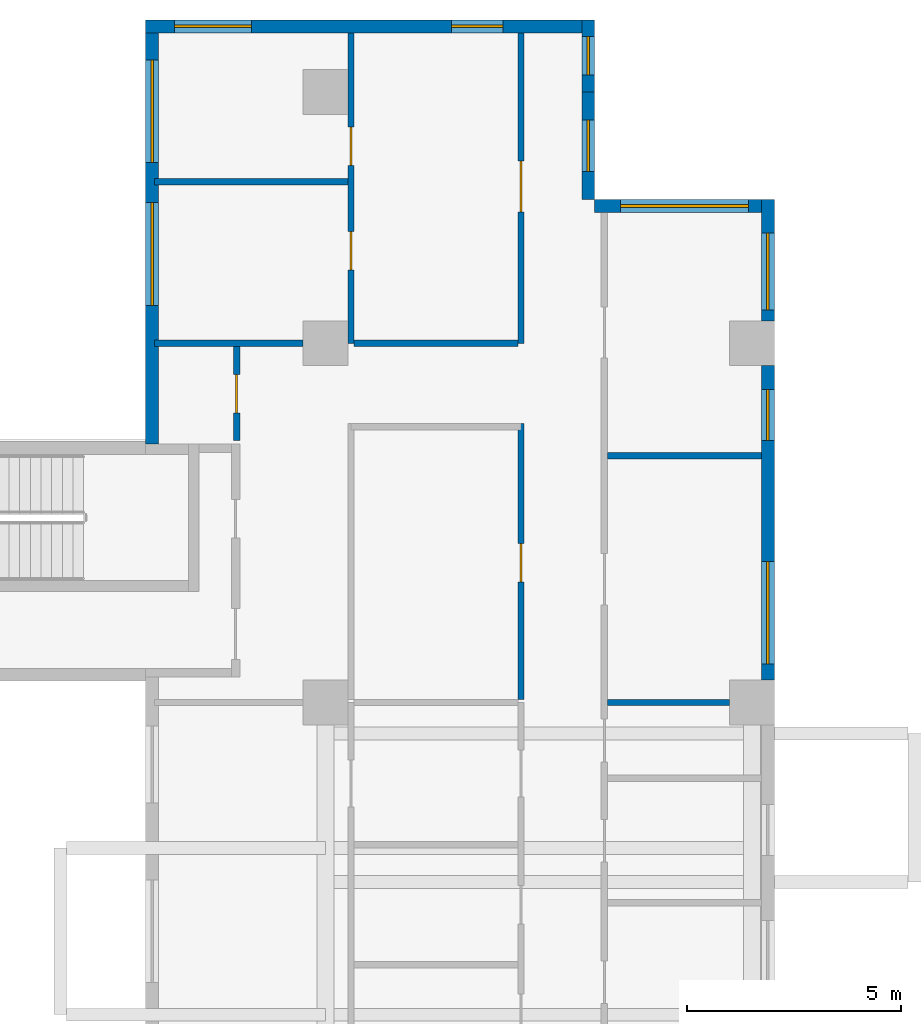
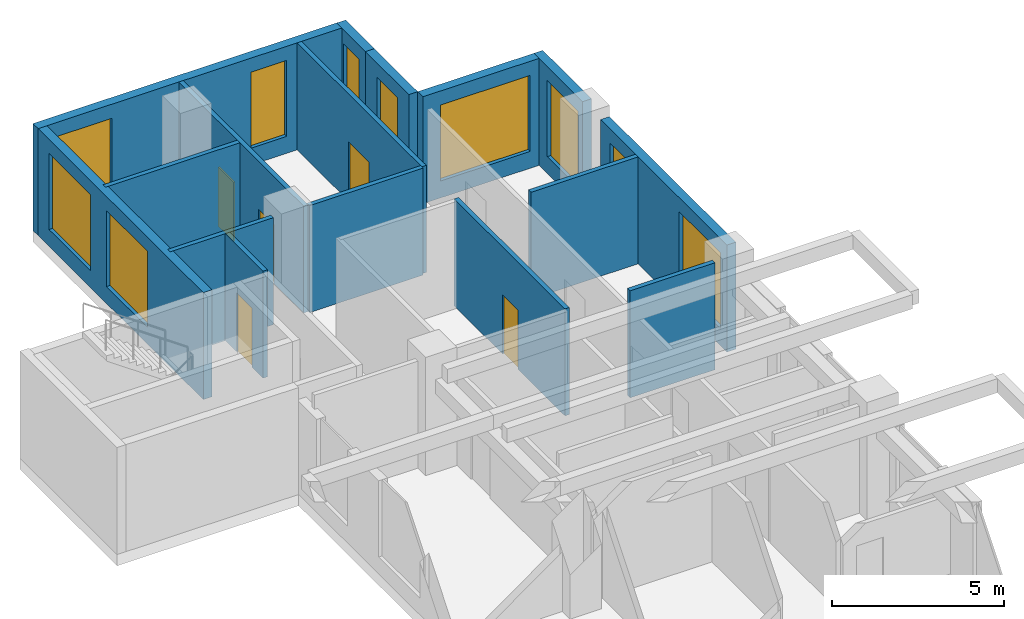
# One storey, part 7 of 14: 16 walls, 10 windows, 5 doors, 15 openings.
"""IFC4 building model written with IfcOpenShell, lengths in metres."""

from ifc_helpers import new_model, si_unit, direction, frame, frame_2d, origin, place, context, subcontext, project, spatial, rectangle, extrude, source, transform, mapped, material, layer, layer_set, type_object, element, fill, save


model = new_model("IFC4")

# Units and contexts
model_context = context("Model", 3, precision=1e-05, world=origin(), true_north=direction((0.0, 1.0)))
body_context = subcontext(model_context, "Body", "Model", "MODEL_VIEW")
ifc_project = project(units=[si_unit("LENGTHUNIT", "METRE"), si_unit("AREAUNIT", "SQUARE_METRE"), si_unit("VOLUMEUNIT", "CUBIC_METRE"), si_unit("PLANEANGLEUNIT", "RADIAN"), si_unit("MASSUNIT", "GRAM", prefix="KILO")], contexts=[model_context])

# Site, building, storey
site_placement = place(None, origin())
site = spatial("IfcSite", under=ifc_project, at=site_placement, CompositionType="ELEMENT")
building_placement = place(site_placement, origin())
building = spatial("IfcBuilding", under=site, at=building_placement, Name="Aurelian Terraces", CompositionType="ELEMENT")
storey_placement = place(building_placement, frame((0.0, 0.0, 103.5)))
storey = spatial("IfcBuildingStorey", under=building, at=storey_placement, Name="L22", CompositionType="ELEMENT", Elevation=103.5)

# Wall
ifc_material_1 = material(Name="Gypsum board on steel studs", Category="steel")
ifc_layer_1 = layer(ifc_material_1, 0.15)
ifc_layer_set_1 = layer_set([ifc_layer_1], Name="Partition 150")
wall_type_1 = type_object("IfcWallType", Name="Partition 150", PredefinedType="PARTITIONING", material=ifc_layer_set_1)
wall_1_placement = place(storey_placement, frame((11.025, 49.98, 0.0), z_axis=(0.0, 0.0, 1.0), x_axis=(-1.0, 0.0, 0.0)))
element("IfcWall", 1, at=wall_1_placement, inside=storey, type_object=wall_type_1, Name="Partition", PredefinedType="PARTITIONING", context=body_context, shape_type="SweptSolid", body=[
    extrude(rectangle(XDim=4.52, YDim=0.15, at=frame_2d((2.26, 0.0))), origin(), (0.0, 0.0, 1.0), 3.8),
])

# Wall, opening, window
ifc_material_2 = material(Name="Terracotta rainscreen cladding", Category="masonry")
ifc_layer_2 = layer(ifc_material_2, 0.3)
ifc_layer_set_2 = layer_set([ifc_layer_2], Name="EW-300")
wall_type_2 = type_object("IfcWallType", Name="EW-300", PredefinedType="STANDARD", material=ifc_layer_set_2)
shared_shape_1 = source(origin(), body_context, "Body", "SweptSolid", [
    extrude(rectangle(XDim=4.2, YDim=0.3, at=frame_2d((2.1, 0.0))), origin(), (0.0, 0.0, 1.0), 3.8),
])
wall_2_placement = place(storey_placement, frame((21.0, 49.41, 0.0), z_axis=(0.0, 0.0, 1.0), x_axis=(-1.0, 0.0, 0.0)))
wall_2 = element("IfcWall", 2, at=wall_2_placement, inside=storey, type_object=wall_type_2, Name="External wall L22 F13.28", PredefinedType="STANDARD", context=body_context, shape_type="MappedRepresentation", body=[
    mapped(shared_shape_1, transform((0.0, 0.0, 0.0), scale=1.0)),
])
shared_shape_2 = source(origin(), body_context, "Body", "SweptSolid", [
    extrude(rectangle(XDim=3.0, YDim=2.7, at=frame_2d((1.5, 1.35))), frame((0.0, 0.16, 0.0), z_axis=(0.0, -1.0, 0.0), x_axis=(1.0, 0.0, 0.0)), (0.0, 0.0, 1.0), 0.32),
])
opening_1_placement = place(wall_2_placement, frame((0.6, 0.0, 0.6)))
opening_1 = element("IfcOpeningElement", 3, at=opening_1_placement, cuts=wall_2, Name="Opening W3027", PredefinedType="OPENING", context=body_context, shape_type="MappedRepresentation", body=[
    mapped(shared_shape_2, transform((0.0, 0.0, 0.0), scale=1.0)),
])
ifc_material_3 = material(Name="Clear glazing", Category="glass")
window_type_1 = type_object("IfcWindowType", Name="W-3000x2700", PartitioningType="SINGLE_PANEL", PredefinedType="WINDOW", material=ifc_material_3)
shared_shape_3 = source(origin(), body_context, "Body", "SweptSolid", [
    extrude(rectangle(XDim=3.0, YDim=2.7, at=frame_2d((1.5, 1.35))), frame((0.0, 0.03, 0.0), z_axis=(0.0, -1.0, 0.0), x_axis=(1.0, 0.0, 0.0)), (0.0, 0.0, 1.0), 0.06),
])
window_1_placement = place(opening_1_placement, origin())
window_1 = element("IfcWindow", 4, at=window_1_placement, inside=storey, type_object=window_type_1, Name="Window L22 L22-F13-28-0", OverallHeight=2.7, OverallWidth=3.0, PartitioningType="SINGLE_PANEL", PredefinedType="WINDOW", context=body_context, shape_type="MappedRepresentation", body=[
    mapped(shared_shape_3, transform((0.0, 0.0, 0.0), scale=1.0)),
])
fill(opening_1, window_1)

shared_shape_4 = source(origin(), body_context, "Body", "SweptSolid", [
    extrude(rectangle(XDim=2.52, YDim=0.3, at=frame_2d((1.26, 0.0))), origin(), (0.0, 0.0, 1.0), 3.8),
])
wall_3_placement = place(storey_placement, frame((16.65, 49.56, 0.0), z_axis=(0.0, 0.0, 1.0), x_axis=(0.0, 1.0, 0.0)))
wall_3 = element("IfcWall", 5, at=wall_3_placement, inside=storey, type_object=wall_type_2, Name="External wall L22 F14.29", PredefinedType="STANDARD", context=body_context, shape_type="MappedRepresentation", body=[
    mapped(shared_shape_4, transform((0.0, 0.0, 0.0), scale=1.0)),
])
shared_shape_5 = source(origin(), body_context, "Body", "SweptSolid", [
    extrude(rectangle(XDim=1.2, YDim=2.7, at=frame_2d((0.6, 1.35))), frame((0.0, 0.16, 0.0), z_axis=(0.0, -1.0, 0.0), x_axis=(1.0, 0.0, 0.0)), (0.0, 0.0, 1.0), 0.32),
])
opening_2_placement = place(wall_3_placement, frame((0.66, 0.0, 0.6)))
opening_2 = element("IfcOpeningElement", 6, at=opening_2_placement, cuts=wall_3, Name="Opening W1227", PredefinedType="OPENING", context=body_context, shape_type="MappedRepresentation", body=[
    mapped(shared_shape_5, transform((0.0, 0.0, 0.0), scale=1.0)),
])
window_type_2 = type_object("IfcWindowType", Name="W-1200x2700", PartitioningType="SINGLE_PANEL", PredefinedType="WINDOW", material=ifc_material_3)
shared_shape_6 = source(origin(), body_context, "Body", "SweptSolid", [
    extrude(rectangle(XDim=1.2, YDim=2.7, at=frame_2d((0.6, 1.35))), frame((0.0, 0.03, 0.0), z_axis=(0.0, -1.0, 0.0), x_axis=(1.0, 0.0, 0.0)), (0.0, 0.0, 1.0), 0.06),
])
window_2_placement = place(opening_2_placement, origin())
window_2 = element("IfcWindow", 7, at=window_2_placement, inside=storey, type_object=window_type_2, Name="Window L22 L22-F14-29-0", OverallHeight=2.7, OverallWidth=1.2, PartitioningType="SINGLE_PANEL", PredefinedType="WINDOW", context=body_context, shape_type="MappedRepresentation", body=[
    mapped(shared_shape_6, transform((0.0, 0.0, 0.0), scale=1.0)),
])
fill(opening_2, window_2)

shared_shape_7 = source(origin(), body_context, "Body", "SweptSolid", [
    extrude(rectangle(XDim=1.68, YDim=0.3, at=frame_2d((0.84, 0.0))), origin(), (0.0, 0.0, 1.0), 3.8),
])
wall_4_placement = place(storey_placement, frame((16.65, 52.08, 0.0), z_axis=(0.0, 0.0, 1.0), x_axis=(0.0, 1.0, 0.0)))
wall_4 = element("IfcWall", 8, at=wall_4_placement, inside=storey, type_object=wall_type_2, Name="External wall L22 F14.30", PredefinedType="STANDARD", context=body_context, shape_type="MappedRepresentation", body=[
    mapped(shared_shape_7, transform((0.0, 0.0, 0.0), scale=1.0)),
])
shared_shape_8 = source(origin(), body_context, "Body", "SweptSolid", [
    extrude(rectangle(XDim=0.9, YDim=2.7, at=frame_2d((0.45, 1.35))), frame((0.0, 0.16, 0.0), z_axis=(0.0, -1.0, 0.0), x_axis=(1.0, 0.0, 0.0)), (0.0, 0.0, 1.0), 0.32),
])
opening_3_placement = place(wall_4_placement, frame((0.39, 0.0, 0.6)))
opening_3 = element("IfcOpeningElement", 9, at=opening_3_placement, cuts=wall_4, Name="Opening W0927", PredefinedType="OPENING", context=body_context, shape_type="MappedRepresentation", body=[
    mapped(shared_shape_8, transform((0.0, 0.0, 0.0), scale=1.0)),
])
window_type_3 = type_object("IfcWindowType", Name="W-900x2700", PartitioningType="SINGLE_PANEL", PredefinedType="WINDOW", material=ifc_material_3)
shared_shape_9 = source(origin(), body_context, "Body", "SweptSolid", [
    extrude(rectangle(XDim=0.9, YDim=2.7, at=frame_2d((0.45, 1.35))), frame((0.0, 0.03, 0.0), z_axis=(0.0, -1.0, 0.0), x_axis=(1.0, 0.0, 0.0)), (0.0, 0.0, 1.0), 0.06),
])
window_3_placement = place(opening_3_placement, origin())
window_3 = element("IfcWindow", 10, at=window_3_placement, inside=storey, type_object=window_type_3, Name="Window L22 L22-F14-30-P0", OverallHeight=2.7, OverallWidth=0.9, PartitioningType="SINGLE_PANEL", PredefinedType="WINDOW", context=body_context, shape_type="MappedRepresentation", body=[
    mapped(shared_shape_9, transform((0.0, 0.0, 0.0), scale=1.0)),
])
fill(opening_3, window_3)

# Wall, openings, windows
shared_shape_10 = source(origin(), body_context, "Body", "SweptSolid", [
    extrude(rectangle(XDim=7.35, YDim=0.3, at=frame_2d((3.675, 0.0))), origin(), (0.0, 0.0, 1.0), 3.8),
])
wall_5_placement = place(storey_placement, frame((20.85, 38.325, 0.0), z_axis=(0.0, 0.0, 1.0), x_axis=(0.0, 1.0, 0.0)))
wall_5 = element("IfcWall", 11, at=wall_5_placement, inside=storey, type_object=wall_type_2, Name="External wall L22 F12.26", PredefinedType="STANDARD", context=body_context, shape_type="MappedRepresentation", body=[
    mapped(shared_shape_10, transform((0.0, 0.0, 0.0), scale=1.0)),
])
shared_shape_11 = source(origin(), body_context, "Body", "SweptSolid", [
    extrude(rectangle(XDim=2.4, YDim=2.7, at=frame_2d((1.2, 1.35))), frame((0.0, 0.16, 0.0), z_axis=(0.0, -1.0, 0.0), x_axis=(1.0, 0.0, 0.0)), (0.0, 0.0, 1.0), 0.32),
])
opening_4_placement = place(wall_5_placement, frame((0.375, 0.0, 0.6)))
opening_4 = element("IfcOpeningElement", 12, at=opening_4_placement, cuts=wall_5, Name="Opening W2427", PredefinedType="OPENING", context=body_context, shape_type="MappedRepresentation", body=[
    mapped(shared_shape_11, transform((0.0, 0.0, 0.0), scale=1.0)),
])
opening_5_placement = place(wall_5_placement, frame((5.5965, 0.0, 0.6)))
opening_5 = element("IfcOpeningElement", 13, at=opening_5_placement, cuts=wall_5, Name="Opening W1227", PredefinedType="OPENING", context=body_context, shape_type="MappedRepresentation", body=[
    mapped(shared_shape_5, transform((0.0, 0.0, 0.0), scale=1.0)),
])
window_type_4 = type_object("IfcWindowType", Name="W-2400x2700", PartitioningType="SINGLE_PANEL", PredefinedType="WINDOW", material=ifc_material_3)
shared_shape_12 = source(origin(), body_context, "Body", "SweptSolid", [
    extrude(rectangle(XDim=2.4, YDim=2.7, at=frame_2d((1.2, 1.35))), frame((0.0, 0.03, 0.0), z_axis=(0.0, -1.0, 0.0), x_axis=(1.0, 0.0, 0.0)), (0.0, 0.0, 1.0), 0.06),
])
window_4_placement = place(opening_4_placement, origin())
window_4 = element("IfcWindow", 14, at=window_4_placement, inside=storey, type_object=window_type_4, Name="Window L22 L22-F12-26-0", OverallHeight=2.7, OverallWidth=2.4, PartitioningType="SINGLE_PANEL", PredefinedType="WINDOW", context=body_context, shape_type="MappedRepresentation", body=[
    mapped(shared_shape_12, transform((0.0, 0.0, 0.0), scale=1.0)),
])
fill(opening_4, window_4)
window_5_placement = place(opening_5_placement, origin())
window_5 = element("IfcWindow", 15, at=window_5_placement, inside=storey, type_object=window_type_2, Name="Window L22 L22-F12-26-1", OverallHeight=2.7, OverallWidth=1.2, PartitioningType="SINGLE_PANEL", PredefinedType="WINDOW", context=body_context, shape_type="MappedRepresentation", body=[
    mapped(shared_shape_6, transform((0.0, 0.0, 0.0), scale=1.0)),
])
fill(opening_5, window_5)

# Wall, opening, window
shared_shape_13 = source(origin(), body_context, "Body", "SweptSolid", [
    extrude(rectangle(XDim=2.835, YDim=0.3, at=frame_2d((1.4175, 0.0))), origin(), (0.0, 0.0, 1.0), 3.8),
])
wall_6_placement = place(storey_placement, frame((20.85, 46.725, 0.0), z_axis=(0.0, 0.0, 1.0), x_axis=(0.0, 1.0, 0.0)))
wall_6 = element("IfcWall", 16, at=wall_6_placement, inside=storey, type_object=wall_type_2, Name="External wall L22 F12.27", PredefinedType="STANDARD", context=body_context, shape_type="MappedRepresentation", body=[
    mapped(shared_shape_13, transform((0.0, 0.0, 0.0), scale=1.0)),
])
shared_shape_14 = source(origin(), body_context, "Body", "SweptSolid", [
    extrude(rectangle(XDim=1.8, YDim=2.7, at=frame_2d((0.9, 1.35))), frame((0.0, 0.16, 0.0), z_axis=(0.0, -1.0, 0.0), x_axis=(1.0, 0.0, 0.0)), (0.0, 0.0, 1.0), 0.32),
])
opening_6_placement = place(wall_6_placement, frame((0.255, 0.0, 0.6)))
opening_6 = element("IfcOpeningElement", 17, at=opening_6_placement, cuts=wall_6, Name="Opening W1827", PredefinedType="OPENING", context=body_context, shape_type="MappedRepresentation", body=[
    mapped(shared_shape_14, transform((0.0, 0.0, 0.0), scale=1.0)),
])
window_type_5 = type_object("IfcWindowType", Name="W-1800x2700", PartitioningType="SINGLE_PANEL", PredefinedType="WINDOW", material=ifc_material_3)
shared_shape_15 = source(origin(), body_context, "Body", "SweptSolid", [
    extrude(rectangle(XDim=1.8, YDim=2.7, at=frame_2d((0.9, 1.35))), frame((0.0, 0.03, 0.0), z_axis=(0.0, -1.0, 0.0), x_axis=(1.0, 0.0, 0.0)), (0.0, 0.0, 1.0), 0.06),
])
window_6_placement = place(opening_6_placement, origin())
window_6 = element("IfcWindow", 18, at=window_6_placement, inside=storey, type_object=window_type_5, Name="Window L22 L22-F12-27-0", OverallHeight=2.7, OverallWidth=1.8, PartitioningType="SINGLE_PANEL", PredefinedType="WINDOW", context=body_context, shape_type="MappedRepresentation", body=[
    mapped(shared_shape_15, transform((0.0, 0.0, 0.0), scale=1.0)),
])
fill(opening_6, window_6)

# Wall, openings, windows
shared_shape_16 = source(origin(), body_context, "Body", "SweptSolid", [
    extrude(rectangle(XDim=10.5, YDim=0.3, at=frame_2d((5.25, 0.0))), origin(), (0.0, 0.0, 1.0), 3.8),
])
wall_7_placement = place(storey_placement, frame((16.8, 53.61, 0.0), z_axis=(0.0, 0.0, 1.0), x_axis=(-1.0, 0.0, 0.0)))
wall_7 = element("IfcWall", 19, at=wall_7_placement, inside=storey, type_object=wall_type_2, Name="External wall L22 F15.31", PredefinedType="STANDARD", context=body_context, shape_type="MappedRepresentation", body=[
    mapped(shared_shape_16, transform((0.0, 0.0, 0.0), scale=1.0)),
])
opening_7_placement = place(wall_7_placement, frame((2.15, 0.0, 0.6)))
opening_7 = element("IfcOpeningElement", 20, at=opening_7_placement, cuts=wall_7, Name="Opening W1227", PredefinedType="OPENING", context=body_context, shape_type="MappedRepresentation", body=[
    mapped(shared_shape_5, transform((0.0, 0.0, 0.0), scale=1.0)),
])
opening_8_placement = place(wall_7_placement, frame((8.025, 0.0, 0.6)))
opening_8 = element("IfcOpeningElement", 21, at=opening_8_placement, cuts=wall_7, Name="Opening W1827", PredefinedType="OPENING", context=body_context, shape_type="MappedRepresentation", body=[
    mapped(shared_shape_14, transform((0.0, 0.0, 0.0), scale=1.0)),
])
window_7_placement = place(opening_8_placement, origin())
window_7 = element("IfcWindow", 22, at=window_7_placement, inside=storey, type_object=window_type_5, Name="Window L22 L22-F15-31-2", OverallHeight=2.7, OverallWidth=1.8, PartitioningType="SINGLE_PANEL", PredefinedType="WINDOW", context=body_context, shape_type="MappedRepresentation", body=[
    mapped(shared_shape_15, transform((0.0, 0.0, 0.0), scale=1.0)),
])
fill(opening_8, window_7)
window_8_placement = place(opening_7_placement, origin())
window_8 = element("IfcWindow", 23, at=window_8_placement, inside=storey, type_object=window_type_2, Name="Window L22 L22-F15-31-0", OverallHeight=2.7, OverallWidth=1.2, PartitioningType="SINGLE_PANEL", PredefinedType="WINDOW", context=body_context, shape_type="MappedRepresentation", body=[
    mapped(shared_shape_6, transform((0.0, 0.0, 0.0), scale=1.0)),
])
fill(opening_7, window_8)

shared_shape_17 = source(origin(), body_context, "Body", "SweptSolid", [
    extrude(rectangle(XDim=9.91, YDim=0.3, at=frame_2d((4.955, 0.0))), origin(), (0.0, 0.0, 1.0), 3.8),
])
wall_8_placement = place(storey_placement, frame((6.45, 53.76, 0.0), z_axis=(0.0, 0.0, 1.0), x_axis=(0.0, -1.0, 0.0)))
wall_8 = element("IfcWall", 24, at=wall_8_placement, inside=storey, type_object=wall_type_2, Name="External wall L22 F16.32", PredefinedType="STANDARD", context=body_context, shape_type="MappedRepresentation", body=[
    mapped(shared_shape_17, transform((0.0, 0.0, 0.0), scale=1.0)),
])
opening_9_placement = place(wall_8_placement, frame((4.2725, 0.0, 0.6)))
opening_9 = element("IfcOpeningElement", 25, at=opening_9_placement, cuts=wall_8, Name="Opening W2427", PredefinedType="OPENING", context=body_context, shape_type="MappedRepresentation", body=[
    mapped(shared_shape_11, transform((0.0, 0.0, 0.0), scale=1.0)),
])
opening_10_placement = place(wall_8_placement, frame((0.9363, 0.0, 0.6)))
opening_10 = element("IfcOpeningElement", 26, at=opening_10_placement, cuts=wall_8, Name="Opening W2427", PredefinedType="OPENING", context=body_context, shape_type="MappedRepresentation", body=[
    mapped(shared_shape_11, transform((0.0, 0.0, 0.0), scale=1.0)),
])
window_9_placement = place(opening_9_placement, origin())
window_9 = element("IfcWindow", 27, at=window_9_placement, inside=storey, type_object=window_type_4, Name="Window L22 L22-F16-32-1", OverallHeight=2.7, OverallWidth=2.4, PartitioningType="SINGLE_PANEL", PredefinedType="WINDOW", context=body_context, shape_type="MappedRepresentation", body=[
    mapped(shared_shape_12, transform((0.0, 0.0, 0.0), scale=1.0)),
])
fill(opening_9, window_9)
window_10_placement = place(opening_10_placement, origin())
window_10 = element("IfcWindow", 28, at=window_10_placement, inside=storey, type_object=window_type_4, Name="Window L22 L22-F16-32-G0-0", OverallHeight=2.7, OverallWidth=2.4, PartitioningType="SINGLE_PANEL", PredefinedType="WINDOW", context=body_context, shape_type="MappedRepresentation", body=[
    mapped(shared_shape_12, transform((0.0, 0.0, 0.0), scale=1.0)),
])
fill(opening_10, window_10)

# Wall, opening, door
ifc_layer_3 = layer(ifc_material_1, 0.15)
ifc_layer_set_3 = layer_set([ifc_layer_3], Name="Fire partition 150")
wall_type_3 = type_object("IfcWallType", Name="Fire partition 150", PredefinedType="PARTITIONING", material=ifc_layer_set_3)
shared_shape_18 = source(origin(), body_context, "Body", "SweptSolid", [
    extrude(rectangle(XDim=6.45, YDim=0.15, at=frame_2d((3.225, 0.0))), origin(), (0.0, 0.0, 1.0), 3.8),
])
wall_9_placement = place(storey_placement, frame((15.075, 37.875, 0.0), z_axis=(0.0, 0.0, 1.0), x_axis=(0.0, 1.0, 0.0)))
wall_9 = element("IfcWall", 29, at=wall_9_placement, inside=storey, type_object=wall_type_3, Name="Corridor wall", PredefinedType="PARTITIONING", context=body_context, shape_type="MappedRepresentation", body=[
    mapped(shared_shape_18, transform((0.0, 0.0, 0.0), scale=1.0)),
])
shared_shape_19 = source(origin(), body_context, "Body", "SweptSolid", [
    extrude(rectangle(XDim=0.9, YDim=2.1, at=frame_2d((0.45, 1.05))), frame((0.0, 0.085, 0.0), z_axis=(0.0, -1.0, 0.0), x_axis=(1.0, 0.0, 0.0)), (0.0, 0.0, 1.0), 0.17),
])
opening_11_placement = place(wall_9_placement, frame((2.7375, 0.0, 0.0)))
opening_11 = element("IfcOpeningElement", 30, at=opening_11_placement, cuts=wall_9, Name="Opening 722027", PredefinedType="OPENING", context=body_context, shape_type="MappedRepresentation", body=[
    mapped(shared_shape_19, transform((0.0, 0.0, 0.0), scale=1.0)),
])
ifc_material_4 = material(Name="Timber door leaf", Category="wood")
door_type_1 = type_object("IfcDoorType", Name="Room door 900x2100 right", OperationType="SINGLE_SWING_RIGHT", PredefinedType="DOOR", material=ifc_material_4)
shared_shape_20 = source(origin(), body_context, "Body", "SweptSolid", [
    extrude(rectangle(XDim=0.9, YDim=2.1, at=frame_2d((0.45, 1.05))), frame((0.0, 0.025, 0.0), z_axis=(0.0, -1.0, 0.0), x_axis=(1.0, 0.0, 0.0)), (0.0, 0.0, 1.0), 0.05),
])
door_1_placement = place(opening_11_placement, origin())
door_1 = element("IfcDoor", 31, at=door_1_placement, inside=storey, type_object=door_type_1, Name="Door 722027", OperationType="SINGLE_SWING_RIGHT", OverallHeight=2.1, OverallWidth=0.9, PredefinedType="DOOR", context=body_context, shape_type="MappedRepresentation", body=[
    mapped(shared_shape_20, transform((0.0, 0.0, 0.0), scale=1.0)),
])
fill(opening_11, door_1)

# Wall
shared_shape_21 = source(origin(), body_context, "Body", "SweptSolid", [
    extrude(rectangle(XDim=3.6, YDim=0.15, at=frame_2d((1.8, 0.0))), origin(), (0.0, 0.0, 1.0), 3.8),
])
wall_10_placement = place(storey_placement, frame((17.1, 43.5675, 0.0), z_axis=(0.0, 0.0, 1.0), x_axis=(1.0, 0.0, 0.0)))
element("IfcWall", 32, at=wall_10_placement, inside=storey, type_object=wall_type_1, Name="Partition", PredefinedType="PARTITIONING", context=body_context, shape_type="MappedRepresentation", body=[
    mapped(shared_shape_21, transform((0.0, 0.0, 0.0), scale=1.0)),
])

# Wall, opening, door
shared_shape_22 = source(origin(), body_context, "Body", "SweptSolid", [
    extrude(rectangle(XDim=2.2, YDim=0.15, at=frame_2d((1.1, 0.0))), origin(), (0.0, 0.0, 1.0), 3.8),
])
wall_11_placement = place(storey_placement, frame((8.425, 43.925, 0.0), z_axis=(0.0, 0.0, 1.0), x_axis=(0.0, 1.0, 0.0)))
wall_11 = element("IfcWall", 33, at=wall_11_placement, inside=storey, type_object=wall_type_1, Name="Partition", PredefinedType="PARTITIONING", context=body_context, shape_type="MappedRepresentation", body=[
    mapped(shared_shape_22, transform((0.0, 0.0, 0.0), scale=1.0)),
])
opening_12_placement = place(wall_11_placement, frame((0.65, 0.0, 0.0)))
opening_12 = element("IfcOpeningElement", 34, at=opening_12_placement, cuts=wall_11, Name="Opening 722028", PredefinedType="OPENING", context=body_context, shape_type="MappedRepresentation", body=[
    mapped(shared_shape_19, transform((0.0, 0.0, 0.0), scale=1.0)),
])
door_2_placement = place(opening_12_placement, origin())
door_2 = element("IfcDoor", 35, at=door_2_placement, inside=storey, type_object=door_type_1, Name="Door 722028", OperationType="SINGLE_SWING_RIGHT", OverallHeight=2.1, OverallWidth=0.9, PredefinedType="DOOR", context=body_context, shape_type="MappedRepresentation", body=[
    mapped(shared_shape_20, transform((0.0, 0.0, 0.0), scale=1.0)),
])
fill(opening_12, door_2)

# Wall, openings, doors
shared_shape_23 = source(origin(), body_context, "Body", "SweptSolid", [
    extrude(rectangle(XDim=7.26, YDim=0.15, at=frame_2d((3.63, 0.0))), origin(), (0.0, 0.0, 1.0), 3.8),
])
wall_12_placement = place(storey_placement, frame((11.1, 46.2, 0.0), z_axis=(0.0, 0.0, 1.0), x_axis=(0.0, 1.0, 0.0)))
wall_12 = element("IfcWall", 36, at=wall_12_placement, inside=storey, type_object=wall_type_1, Name="Partition", PredefinedType="PARTITIONING", context=body_context, shape_type="MappedRepresentation", body=[
    mapped(shared_shape_23, transform((0.0, 0.0, 0.0), scale=1.0)),
])
opening_13_placement = place(wall_12_placement, frame((1.715, 0.0, 0.0)))
opening_13 = element("IfcOpeningElement", 37, at=opening_13_placement, cuts=wall_12, Name="Opening 722034", PredefinedType="OPENING", context=body_context, shape_type="MappedRepresentation", body=[
    mapped(shared_shape_19, transform((0.0, 0.0, 0.0), scale=1.0)),
])
opening_14_placement = place(wall_12_placement, frame((4.155, 0.0, 0.0)))
opening_14 = element("IfcOpeningElement", 38, at=opening_14_placement, cuts=wall_12, Name="Opening 722035", PredefinedType="OPENING", context=body_context, shape_type="MappedRepresentation", body=[
    mapped(shared_shape_19, transform((0.0, 0.0, 0.0), scale=1.0)),
])
door_3_placement = place(opening_13_placement, origin())
door_3 = element("IfcDoor", 39, at=door_3_placement, inside=storey, type_object=door_type_1, Name="Door 722034", OperationType="SINGLE_SWING_RIGHT", OverallHeight=2.1, OverallWidth=0.9, PredefinedType="DOOR", context=body_context, shape_type="MappedRepresentation", body=[
    mapped(shared_shape_20, transform((0.0, 0.0, 0.0), scale=1.0)),
])
fill(opening_13, door_3)
door_type_2 = type_object("IfcDoorType", Name="Room door 900x2100 left", OperationType="SINGLE_SWING_LEFT", PredefinedType="DOOR", material=ifc_material_4)
door_4_placement = place(opening_14_placement, origin())
door_4 = element("IfcDoor", 40, at=door_4_placement, inside=storey, type_object=door_type_2, Name="Door 722035", OperationType="SINGLE_SWING_LEFT", OverallHeight=2.1, OverallWidth=0.9, PredefinedType="DOOR", context=body_context, shape_type="MappedRepresentation", body=[
    mapped(shared_shape_20, transform((0.0, 0.0, 0.0), scale=1.0)),
])
fill(opening_14, door_4)

# Wall, opening, door
wall_13_placement = place(storey_placement, frame((15.075, 46.2, 0.0), z_axis=(0.0, 0.0, 1.0), x_axis=(0.0, 1.0, 0.0)))
wall_13 = element("IfcWall", 41, at=wall_13_placement, inside=storey, type_object=wall_type_3, Name="Corridor wall", PredefinedType="PARTITIONING", context=body_context, shape_type="MappedRepresentation", body=[
    mapped(shared_shape_23, transform((0.0, 0.0, 0.0), scale=1.0)),
])
shared_shape_24 = source(origin(), body_context, "Body", "SweptSolid", [
    extrude(rectangle(XDim=1.2, YDim=2.1, at=frame_2d((0.6, 1.05))), frame((0.0, 0.085, 0.0), z_axis=(0.0, -1.0, 0.0), x_axis=(1.0, 0.0, 0.0)), (0.0, 0.0, 1.0), 0.17),
])
opening_15_placement = place(wall_13_placement, frame((3.0675, 0.0, 0.0)))
opening_15 = element("IfcOpeningElement", 42, at=opening_15_placement, cuts=wall_13, Name="Opening 722033", PredefinedType="OPENING", context=body_context, shape_type="MappedRepresentation", body=[
    mapped(shared_shape_24, transform((0.0, 0.0, 0.0), scale=1.0)),
])
door_type_3 = type_object("IfcDoorType", Name="Room door 1200x2100 left", OperationType="SINGLE_SWING_LEFT", PredefinedType="DOOR", material=ifc_material_4)
shared_shape_25 = source(origin(), body_context, "Body", "SweptSolid", [
    extrude(rectangle(XDim=1.2, YDim=2.1, at=frame_2d((0.6, 1.05))), frame((0.0, 0.025, 0.0), z_axis=(0.0, -1.0, 0.0), x_axis=(1.0, 0.0, 0.0)), (0.0, 0.0, 1.0), 0.05),
])
door_5_placement = place(opening_15_placement, origin())
door_5 = element("IfcDoor", 43, at=door_5_placement, inside=storey, type_object=door_type_3, Name="Door 722033", OperationType="SINGLE_SWING_LEFT", OverallHeight=2.1, OverallWidth=1.2, PredefinedType="DOOR", context=body_context, shape_type="MappedRepresentation", body=[
    mapped(shared_shape_25, transform((0.0, 0.0, 0.0), scale=1.0)),
])
fill(opening_15, door_5)

# Walls
shared_shape_26 = source(origin(), body_context, "Body", "SweptSolid", [
    extrude(rectangle(XDim=3.825, YDim=0.15, at=frame_2d((1.9125, 0.0))), origin(), (0.0, 0.0, 1.0), 3.8),
])
wall_14_placement = place(storey_placement, frame((15.0, 46.2, 0.0), z_axis=(0.0, 0.0, 1.0), x_axis=(-1.0, 0.0, 0.0)))
element("IfcWall", 44, at=wall_14_placement, inside=storey, type_object=wall_type_1, Name="Partition", PredefinedType="PARTITIONING", context=body_context, shape_type="MappedRepresentation", body=[
    mapped(shared_shape_26, transform((0.0, 0.0, 0.0), scale=1.0)),
])
shared_shape_27 = source(origin(), body_context, "Body", "SweptSolid", [
    extrude(rectangle(XDim=2.851, YDim=0.15, at=frame_2d((1.4255, 0.0))), origin(), (0.0, 0.0, 1.0), 3.8),
])
wall_15_placement = place(storey_placement, frame((19.951, 37.8, 0.0), z_axis=(0.0, 0.0, 1.0), x_axis=(-1.0, 0.0, 0.0)))
element("IfcWall", 45, at=wall_15_placement, inside=storey, type_object=wall_type_1, Name="Partition", PredefinedType="PARTITIONING", context=body_context, shape_type="MappedRepresentation", body=[
    mapped(shared_shape_27, transform((0.0, 0.0, 0.0), scale=1.0)),
])
shared_shape_28 = source(origin(), body_context, "Body", "SweptSolid", [
    extrude(rectangle(XDim=3.471, YDim=0.15, at=frame_2d((1.7355, 0.0))), origin(), (0.0, 0.0, 1.0), 3.8),
])
wall_16_placement = place(storey_placement, frame((9.976, 46.2, 0.0), z_axis=(0.0, 0.0, 1.0), x_axis=(-1.0, 0.0, 0.0)))
element("IfcWall", 46, at=wall_16_placement, inside=storey, type_object=wall_type_1, Name="Partition", PredefinedType="PARTITIONING", context=body_context, shape_type="MappedRepresentation", body=[
    mapped(shared_shape_28, transform((0.0, 0.0, 0.0), scale=1.0)),
])

save(model, "model.ifc")
